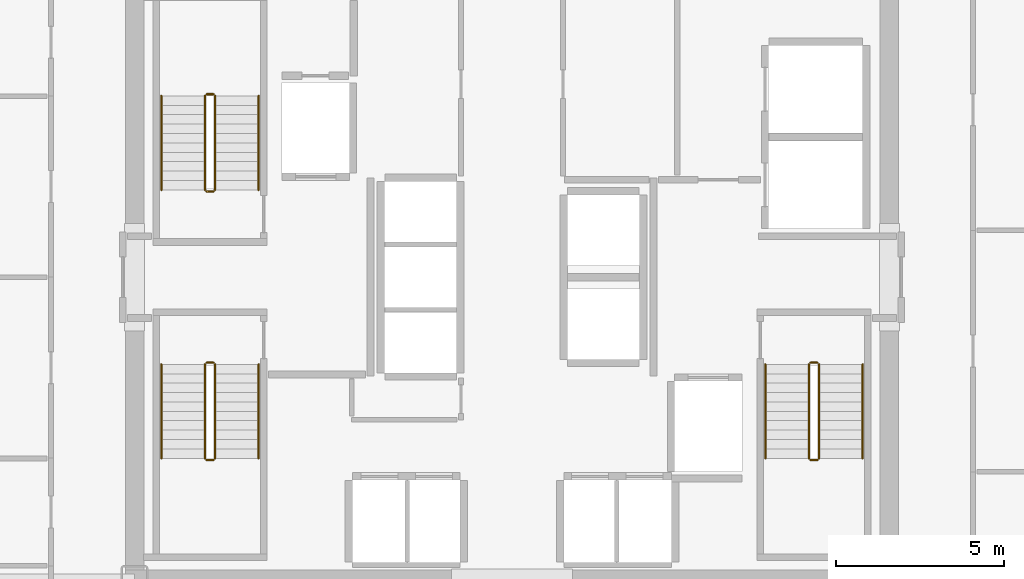
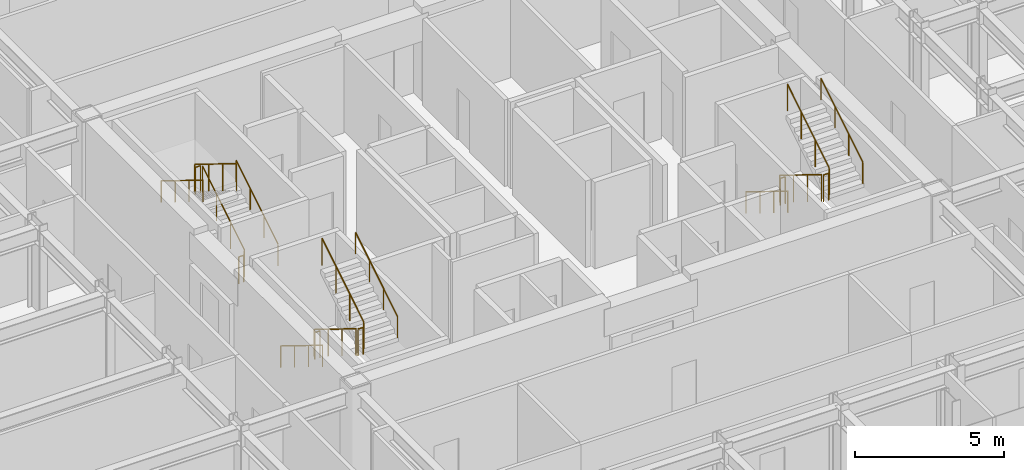
# One storey, part 23 of 23: 18 railings.
"""IFC4 building model written with IfcOpenShell, lengths in metres."""

from ifc_helpers import new_model, si_unit, direction, frame, origin, origin_2d, place, context, subcontext, project, spatial, circle, extrude, material, type_object, element, save


model = new_model("IFC4")

# Units and contexts
model_context = context("Model", 3, precision=1e-05, world=origin(), true_north=direction((0.0, 1.0)))
body_context = subcontext(model_context, "Body", "Model", "MODEL_VIEW")
ifc_project = project(units=[si_unit("LENGTHUNIT", "METRE"), si_unit("AREAUNIT", "SQUARE_METRE"), si_unit("VOLUMEUNIT", "CUBIC_METRE"), si_unit("PLANEANGLEUNIT", "RADIAN"), si_unit("MASSUNIT", "GRAM", prefix="KILO")], contexts=[model_context])

# Site, building, storey
site_placement = place(None, origin())
site = spatial("IfcSite", under=ifc_project, at=site_placement, CompositionType="ELEMENT")
building_placement = place(site_placement, origin())
building = spatial("IfcBuilding", under=site, at=building_placement, Name="Nefas-Gora Pilgrimage Tower", CompositionType="ELEMENT")
storey_placement = place(building_placement, frame((0.0, 0.0, 190.60009765625)))
storey = spatial("IfcBuildingStorey", under=building, at=storey_placement, Name="L47", CompositionType="ELEMENT", Elevation=190.60009765625)

# Railings
ifc_material_1 = material(Name="Painted galvanised steel", Category="steel")
railing_type_1 = type_object("IfcRailingType", Name="RLG-STR-GUARD-1100", PredefinedType="GUARDRAIL", material=ifc_material_1)
railing_1_placement = place(storey_placement, frame((-8.85009765625, 2.60009765625, 0.172607421875)))
element("IfcRailing", 1, at=railing_1_placement, inside=storey, type_object=railing_type_1, Name="L47 ST-01 stair guard 1", PredefinedType="GUARDRAIL", context=body_context, shape_type="SweptSolid", body=[
    extrude(circle(Radius=0.02392578125, at=origin_2d()), frame((0.0, 0.0, 1.09619140625), z_axis=(0.0, 0.851069175582, 0.525053576669), x_axis=(-1.0, 0.0, 0.0)), (0.0, 0.0, 1.0), 3.289794921875),
    extrude(circle(Radius=0.02099609375, at=origin_2d()), origin(), (0.0, 0.0, 1.0), 1.072021484375),
    extrude(circle(Radius=0.02099609375, at=origin_2d()), frame((0.0, 0.933349609375, 0.57568359375)), (0.0, 0.0, 1.0), 1.072021484375),
    extrude(circle(Radius=0.02099609375, at=origin_2d()), frame((0.0, 1.866455078125, 1.151611328125)), (0.0, 0.0, 1.0), 1.072021484375),
    extrude(circle(Radius=0.02099609375, at=origin_2d()), frame((0.0, 2.7998046875, 1.727294921875)), (0.0, 0.0, 1.0), 1.072021484375),
])
railing_2_placement = place(storey_placement, frame((-8.89990234375, 5.449951171875, 1.89990234375)))
element("IfcRailing", 2, at=railing_2_placement, inside=storey, type_object=railing_type_1, Name="L47 ST-01 stair guard 2", PredefinedType="GUARDRAIL", context=body_context, shape_type="SweptSolid", body=[
    extrude(circle(Radius=0.02392578125, at=origin_2d()), frame((0.0, 0.0, 1.09619140625), z_axis=(-1.0, 0.0, 0.0), x_axis=(0.0, -1.0, 0.0)), (0.0, 0.0, 1.0), 0.2001953125),
    extrude(circle(Radius=0.02099609375, at=origin_2d()), origin(), (0.0, 0.0, 1.0), 1.072021484375),
    extrude(circle(Radius=0.02099609375, at=origin_2d()), frame((-0.2001953125, 0.0, 0.0)), (0.0, 0.0, 1.0), 1.072021484375),
])
railing_3_placement = place(storey_placement, frame((-9.14990234375, 5.39990234375, 2.072509765625)))
element("IfcRailing", 3, at=railing_3_placement, inside=storey, type_object=railing_type_1, Name="L47 ST-01 stair guard 3", PredefinedType="GUARDRAIL", context=body_context, shape_type="SweptSolid", body=[
    extrude(circle(Radius=0.02392578125, at=origin_2d()), frame((0.0, 0.0, 1.09619140625), z_axis=(0.0, -0.851069175582, 0.525053576669), x_axis=(1.0, 0.0, 0.0)), (0.0, 0.0, 1.0), 3.289794921875),
    extrude(circle(Radius=0.02099609375, at=origin_2d()), origin(), (0.0, 0.0, 1.0), 1.072021484375),
    extrude(circle(Radius=0.02099609375, at=origin_2d()), frame((0.0, -0.933349609375, 0.57568359375)), (0.0, 0.0, 1.0), 1.072021484375),
    extrude(circle(Radius=0.02099609375, at=origin_2d()), frame((0.0, -1.866455078125, 1.151611328125)), (0.0, 0.0, 1.0), 1.072021484375),
    extrude(circle(Radius=0.02099609375, at=origin_2d()), frame((0.0, -2.7998046875, 1.727294921875)), (0.0, 0.0, 1.0), 1.072021484375),
])
railing_4_placement = place(storey_placement, frame((-8.89990234375, 2.550048828125, 0.0)))
element("IfcRailing", 4, at=railing_4_placement, inside=storey, type_object=railing_type_1, Name="L47 ST-01 stair guard 4", PredefinedType="GUARDRAIL", context=body_context, shape_type="SweptSolid", body=[
    extrude(circle(Radius=0.02392578125, at=origin_2d()), frame((0.0, 0.0, 1.09619140625), z_axis=(-1.0, 0.0, 0.0), x_axis=(0.0, -1.0, 0.0)), (0.0, 0.0, 1.0), 0.2001953125),
    extrude(circle(Radius=0.02099609375, at=origin_2d()), origin(), (0.0, 0.0, 1.0), 1.072021484375),
    extrude(circle(Radius=0.02099609375, at=origin_2d()), frame((-0.2001953125, 0.0, 0.0)), (0.0, 0.0, 1.0), 1.072021484375),
])
railing_5_placement = place(storey_placement, frame((8.85009765625, -2.60009765625, 0.172607421875)))
element("IfcRailing", 5, at=railing_5_placement, inside=storey, type_object=railing_type_1, Name="L47 ST-02 stair guard 1", PredefinedType="GUARDRAIL", context=body_context, shape_type="SweptSolid", body=[
    extrude(circle(Radius=0.02392578125, at=origin_2d()), frame((0.0, 0.0, 1.09619140625), z_axis=(0.0, -0.851069175582, 0.525053576669), x_axis=(1.0, 0.0, 0.0)), (0.0, 0.0, 1.0), 3.289794921875),
    extrude(circle(Radius=0.02099609375, at=origin_2d()), origin(), (0.0, 0.0, 1.0), 1.072021484375),
    extrude(circle(Radius=0.02099609375, at=origin_2d()), frame((0.0, -0.933349609375, 0.57568359375)), (0.0, 0.0, 1.0), 1.072021484375),
    extrude(circle(Radius=0.02099609375, at=origin_2d()), frame((0.0, -1.866455078125, 1.151611328125)), (0.0, 0.0, 1.0), 1.072021484375),
    extrude(circle(Radius=0.02099609375, at=origin_2d()), frame((0.0, -2.7998046875, 1.727294921875)), (0.0, 0.0, 1.0), 1.072021484375),
])
railing_6_placement = place(storey_placement, frame((8.89990234375, -5.449951171875, 1.89990234375)))
element("IfcRailing", 6, at=railing_6_placement, inside=storey, type_object=railing_type_1, Name="L47 ST-02 stair guard 2", PredefinedType="GUARDRAIL", context=body_context, shape_type="SweptSolid", body=[
    extrude(circle(Radius=0.02392578125, at=origin_2d()), frame((0.0, 0.0, 1.09619140625), z_axis=(1.0, 0.0, 0.0), x_axis=(0.0, 1.0, 0.0)), (0.0, 0.0, 1.0), 0.2001953125),
    extrude(circle(Radius=0.02099609375, at=origin_2d()), origin(), (0.0, 0.0, 1.0), 1.072021484375),
    extrude(circle(Radius=0.02099609375, at=origin_2d()), frame((0.2001953125, 0.0, 0.0)), (0.0, 0.0, 1.0), 1.072021484375),
])
railing_7_placement = place(storey_placement, frame((9.14990234375, -5.39990234375, 2.072509765625)))
element("IfcRailing", 7, at=railing_7_placement, inside=storey, type_object=railing_type_1, Name="L47 ST-02 stair guard 3", PredefinedType="GUARDRAIL", context=body_context, shape_type="SweptSolid", body=[
    extrude(circle(Radius=0.02392578125, at=origin_2d()), frame((0.0, 0.0, 1.09619140625), z_axis=(0.0, 0.851069175582, 0.525053576669), x_axis=(-1.0, 0.0, 0.0)), (0.0, 0.0, 1.0), 3.289794921875),
    extrude(circle(Radius=0.02099609375, at=origin_2d()), origin(), (0.0, 0.0, 1.0), 1.072021484375),
    extrude(circle(Radius=0.02099609375, at=origin_2d()), frame((0.0, 0.933349609375, 0.57568359375)), (0.0, 0.0, 1.0), 1.072021484375),
    extrude(circle(Radius=0.02099609375, at=origin_2d()), frame((0.0, 1.866455078125, 1.151611328125)), (0.0, 0.0, 1.0), 1.072021484375),
    extrude(circle(Radius=0.02099609375, at=origin_2d()), frame((0.0, 2.7998046875, 1.727294921875)), (0.0, 0.0, 1.0), 1.072021484375),
])
railing_8_placement = place(storey_placement, frame((8.89990234375, -2.550048828125, 0.0)))
element("IfcRailing", 8, at=railing_8_placement, inside=storey, type_object=railing_type_1, Name="L47 ST-02 stair guard 4", PredefinedType="GUARDRAIL", context=body_context, shape_type="SweptSolid", body=[
    extrude(circle(Radius=0.02392578125, at=origin_2d()), frame((0.0, 0.0, 1.09619140625), z_axis=(1.0, 0.0, 0.0), x_axis=(0.0, 1.0, 0.0)), (0.0, 0.0, 1.0), 0.2001953125),
    extrude(circle(Radius=0.02099609375, at=origin_2d()), origin(), (0.0, 0.0, 1.0), 1.072021484375),
    extrude(circle(Radius=0.02099609375, at=origin_2d()), frame((0.2001953125, 0.0, 0.0)), (0.0, 0.0, 1.0), 1.072021484375),
])
railing_9_placement = place(storey_placement, frame((-9.14990234375, -2.60009765625, 0.172607421875)))
element("IfcRailing", 9, at=railing_9_placement, inside=storey, type_object=railing_type_1, Name="L47 ST-03 stair guard 1", PredefinedType="GUARDRAIL", context=body_context, shape_type="SweptSolid", body=[
    extrude(circle(Radius=0.02392578125, at=origin_2d()), frame((0.0, 0.0, 1.09619140625), z_axis=(0.0, -0.851069175582, 0.525053576669), x_axis=(1.0, 0.0, 0.0)), (0.0, 0.0, 1.0), 3.289794921875),
    extrude(circle(Radius=0.02099609375, at=origin_2d()), origin(), (0.0, 0.0, 1.0), 1.072021484375),
    extrude(circle(Radius=0.02099609375, at=origin_2d()), frame((0.0, -0.933349609375, 0.57568359375)), (0.0, 0.0, 1.0), 1.072021484375),
    extrude(circle(Radius=0.02099609375, at=origin_2d()), frame((0.0, -1.866455078125, 1.151611328125)), (0.0, 0.0, 1.0), 1.072021484375),
    extrude(circle(Radius=0.02099609375, at=origin_2d()), frame((0.0, -2.7998046875, 1.727294921875)), (0.0, 0.0, 1.0), 1.072021484375),
])
railing_10_placement = place(storey_placement, frame((-9.10009765625, -5.449951171875, 1.89990234375)))
element("IfcRailing", 10, at=railing_10_placement, inside=storey, type_object=railing_type_1, Name="L47 ST-03 stair guard 2", PredefinedType="GUARDRAIL", context=body_context, shape_type="SweptSolid", body=[
    extrude(circle(Radius=0.02392578125, at=origin_2d()), frame((0.0, 0.0, 1.09619140625), z_axis=(1.0, 0.0, 0.0), x_axis=(0.0, 1.0, 0.0)), (0.0, 0.0, 1.0), 0.2001953125),
    extrude(circle(Radius=0.02099609375, at=origin_2d()), origin(), (0.0, 0.0, 1.0), 1.072021484375),
    extrude(circle(Radius=0.02099609375, at=origin_2d()), frame((0.2001953125, 0.0, 0.0)), (0.0, 0.0, 1.0), 1.072021484375),
])
railing_11_placement = place(storey_placement, frame((-8.85009765625, -5.39990234375, 2.072509765625)))
element("IfcRailing", 11, at=railing_11_placement, inside=storey, type_object=railing_type_1, Name="L47 ST-03 stair guard 3", PredefinedType="GUARDRAIL", context=body_context, shape_type="SweptSolid", body=[
    extrude(circle(Radius=0.02392578125, at=origin_2d()), frame((0.0, 0.0, 1.09619140625), z_axis=(0.0, 0.851069175582, 0.525053576669), x_axis=(-1.0, 0.0, 0.0)), (0.0, 0.0, 1.0), 3.289794921875),
    extrude(circle(Radius=0.02099609375, at=origin_2d()), origin(), (0.0, 0.0, 1.0), 1.072021484375),
    extrude(circle(Radius=0.02099609375, at=origin_2d()), frame((0.0, 0.933349609375, 0.57568359375)), (0.0, 0.0, 1.0), 1.072021484375),
    extrude(circle(Radius=0.02099609375, at=origin_2d()), frame((0.0, 1.866455078125, 1.151611328125)), (0.0, 0.0, 1.0), 1.072021484375),
    extrude(circle(Radius=0.02099609375, at=origin_2d()), frame((0.0, 2.7998046875, 1.727294921875)), (0.0, 0.0, 1.0), 1.072021484375),
])
railing_12_placement = place(storey_placement, frame((-9.10009765625, -2.550048828125, 0.0)))
element("IfcRailing", 12, at=railing_12_placement, inside=storey, type_object=railing_type_1, Name="L47 ST-03 stair guard 4", PredefinedType="GUARDRAIL", context=body_context, shape_type="SweptSolid", body=[
    extrude(circle(Radius=0.02392578125, at=origin_2d()), frame((0.0, 0.0, 1.09619140625), z_axis=(1.0, 0.0, 0.0), x_axis=(0.0, 1.0, 0.0)), (0.0, 0.0, 1.0), 0.2001953125),
    extrude(circle(Radius=0.02099609375, at=origin_2d()), origin(), (0.0, 0.0, 1.0), 1.072021484375),
    extrude(circle(Radius=0.02099609375, at=origin_2d()), frame((0.2001953125, 0.0, 0.0)), (0.0, 0.0, 1.0), 1.072021484375),
])
ifc_material_2 = material(Name="Brushed stainless steel", Category="steel")
railing_type_2 = type_object("IfcRailingType", Name="RLG-STR-HAND-900", PredefinedType="HANDRAIL", material=ifc_material_2)
railing_13_placement = place(storey_placement, frame((-7.550048828125, 2.60009765625, 0.172607421875)))
element("IfcRailing", 13, at=railing_13_placement, inside=storey, type_object=railing_type_2, Name="L47 ST-01 stair handrail 1", PredefinedType="HANDRAIL", context=body_context, shape_type="SweptSolid", body=[
    extrude(circle(Radius=0.02392578125, at=origin_2d()), frame((0.0, 0.0, 0.8759765625), z_axis=(0.0, 0.851069175582, 0.525053576669), x_axis=(-1.0, 0.0, 0.0)), (0.0, 0.0, 1.0), 3.289794921875),
    extrude(circle(Radius=0.02099609375, at=origin_2d()), origin(), (0.0, 0.0, 1.0), 0.851806640625),
    extrude(circle(Radius=0.02099609375, at=origin_2d()), frame((0.0, 0.933349609375, 0.57568359375)), (0.0, 0.0, 1.0), 0.851806640625),
    extrude(circle(Radius=0.02099609375, at=origin_2d()), frame((0.0, 1.866455078125, 1.151611328125)), (0.0, 0.0, 1.0), 0.851806640625),
    extrude(circle(Radius=0.02099609375, at=origin_2d()), frame((0.0, 2.7998046875, 1.727294921875)), (0.0, 0.0, 1.0), 0.851806640625),
])
for number, where, name in (
    (14, (-10.449951171875, 5.39990234375, 2.072509765625), "L47 ST-01 stair handrail 2"),
    (15, (7.550048828125, -2.60009765625, 0.172607421875), "L47 ST-02 stair handrail 1"),
):
    element("IfcRailing", number, at=place(storey_placement, frame(where)), inside=storey, type_object=railing_type_2, Name=name, PredefinedType="HANDRAIL", context=body_context, shape_type="SweptSolid", body=[
        extrude(circle(Radius=0.02392578125, at=origin_2d()), frame((0.0, 0.0, 0.8759765625), z_axis=(0.0, -0.851069175582, 0.525053576669), x_axis=(1.0, 0.0, 0.0)), (0.0, 0.0, 1.0), 3.289794921875),
        extrude(circle(Radius=0.02099609375, at=origin_2d()), origin(), (0.0, 0.0, 1.0), 0.851806640625),
        extrude(circle(Radius=0.02099609375, at=origin_2d()), frame((0.0, -0.933349609375, 0.57568359375)), (0.0, 0.0, 1.0), 0.851806640625),
        extrude(circle(Radius=0.02099609375, at=origin_2d()), frame((0.0, -1.866455078125, 1.151611328125)), (0.0, 0.0, 1.0), 0.851806640625),
        extrude(circle(Radius=0.02099609375, at=origin_2d()), frame((0.0, -2.7998046875, 1.727294921875)), (0.0, 0.0, 1.0), 0.851806640625),
    ])
railing_14_placement = place(storey_placement, frame((10.449951171875, -5.39990234375, 2.072509765625)))
element("IfcRailing", 16, at=railing_14_placement, inside=storey, type_object=railing_type_2, Name="L47 ST-02 stair handrail 2", PredefinedType="HANDRAIL", context=body_context, shape_type="SweptSolid", body=[
    extrude(circle(Radius=0.02392578125, at=origin_2d()), frame((0.0, 0.0, 0.8759765625), z_axis=(0.0, 0.851069175582, 0.525053576669), x_axis=(-1.0, 0.0, 0.0)), (0.0, 0.0, 1.0), 3.289794921875),
    extrude(circle(Radius=0.02099609375, at=origin_2d()), origin(), (0.0, 0.0, 1.0), 0.851806640625),
    extrude(circle(Radius=0.02099609375, at=origin_2d()), frame((0.0, 0.933349609375, 0.57568359375)), (0.0, 0.0, 1.0), 0.851806640625),
    extrude(circle(Radius=0.02099609375, at=origin_2d()), frame((0.0, 1.866455078125, 1.151611328125)), (0.0, 0.0, 1.0), 0.851806640625),
    extrude(circle(Radius=0.02099609375, at=origin_2d()), frame((0.0, 2.7998046875, 1.727294921875)), (0.0, 0.0, 1.0), 0.851806640625),
])
railing_15_placement = place(storey_placement, frame((-10.449951171875, -2.60009765625, 0.172607421875)))
element("IfcRailing", 17, at=railing_15_placement, inside=storey, type_object=railing_type_2, Name="L47 ST-03 stair handrail 1", PredefinedType="HANDRAIL", context=body_context, shape_type="SweptSolid", body=[
    extrude(circle(Radius=0.02392578125, at=origin_2d()), frame((0.0, 0.0, 0.8759765625), z_axis=(0.0, -0.851069175582, 0.525053576669), x_axis=(1.0, 0.0, 0.0)), (0.0, 0.0, 1.0), 3.289794921875),
    extrude(circle(Radius=0.02099609375, at=origin_2d()), origin(), (0.0, 0.0, 1.0), 0.851806640625),
    extrude(circle(Radius=0.02099609375, at=origin_2d()), frame((0.0, -0.933349609375, 0.57568359375)), (0.0, 0.0, 1.0), 0.851806640625),
    extrude(circle(Radius=0.02099609375, at=origin_2d()), frame((0.0, -1.866455078125, 1.151611328125)), (0.0, 0.0, 1.0), 0.851806640625),
    extrude(circle(Radius=0.02099609375, at=origin_2d()), frame((0.0, -2.7998046875, 1.727294921875)), (0.0, 0.0, 1.0), 0.851806640625),
])
railing_16_placement = place(storey_placement, frame((-7.550048828125, -5.39990234375, 2.072509765625)))
element("IfcRailing", 18, at=railing_16_placement, inside=storey, type_object=railing_type_2, Name="L47 ST-03 stair handrail 2", PredefinedType="HANDRAIL", context=body_context, shape_type="SweptSolid", body=[
    extrude(circle(Radius=0.02392578125, at=origin_2d()), frame((0.0, 0.0, 0.8759765625), z_axis=(0.0, 0.851069175582, 0.525053576669), x_axis=(-1.0, 0.0, 0.0)), (0.0, 0.0, 1.0), 3.289794921875),
    extrude(circle(Radius=0.02099609375, at=origin_2d()), origin(), (0.0, 0.0, 1.0), 0.851806640625),
    extrude(circle(Radius=0.02099609375, at=origin_2d()), frame((0.0, 0.933349609375, 0.57568359375)), (0.0, 0.0, 1.0), 0.851806640625),
    extrude(circle(Radius=0.02099609375, at=origin_2d()), frame((0.0, 1.866455078125, 1.151611328125)), (0.0, 0.0, 1.0), 0.851806640625),
    extrude(circle(Radius=0.02099609375, at=origin_2d()), frame((0.0, 2.7998046875, 1.727294921875)), (0.0, 0.0, 1.0), 0.851806640625),
])

save(model, "model.ifc")
